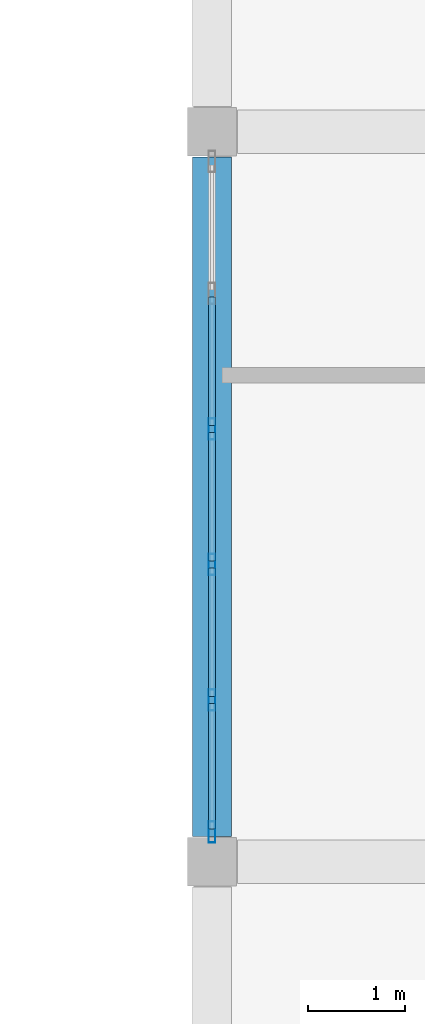
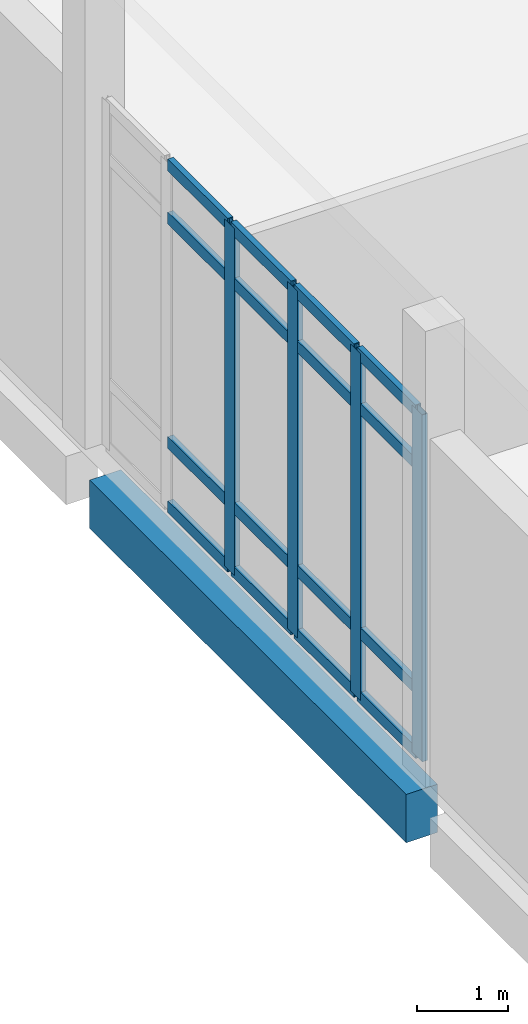
# One storey, part 59 of 173: 20 members, 1 beam, 1 element without a shape of its own.
"""IFC4 building model written with IfcOpenShell, lengths in metres."""

from ifc_helpers import new_model, si_unit, direction, frame, origin, origin_2d, place, context, subcontext, project, spatial, rectangle, hollow_rectangle, extrude, material, layer, layer_set, material_profile, profile_set, type_object, element, aggregate, save


model = new_model("IFC4")

# Units and contexts
model_context = context("Model", 3, precision=1e-05, world=origin(), true_north=direction((0.0, 1.0)))
body_context = subcontext(model_context, "Body", "Model", "MODEL_VIEW")
ifc_project = project(units=[si_unit("LENGTHUNIT", "METRE"), si_unit("AREAUNIT", "SQUARE_METRE"), si_unit("VOLUMEUNIT", "CUBIC_METRE"), si_unit("PLANEANGLEUNIT", "RADIAN"), si_unit("MASSUNIT", "GRAM", prefix="KILO")], contexts=[model_context])

# Site, building, storey
site_placement = place(None, origin())
site = spatial("IfcSite", under=ifc_project, at=site_placement, CompositionType="ELEMENT")
building_placement = place(site_placement, origin())
building = spatial("IfcBuilding", under=site, at=building_placement, Name="Mawjan Specialist Oncology Clinic", CompositionType="ELEMENT")
storey_placement = place(building_placement, origin())
storey = spatial("IfcBuildingStorey", under=building, at=storey_placement, Name="L00", CompositionType="ELEMENT", Elevation=0.0)

# Curtain wall, members
ifc_material_1 = material(Name="Unitised spectrally selective aluminium curtain wall", Category="aluminium")
ifc_layer = layer(ifc_material_1, 0.179931640625, Name="Unitised spectrally selective aluminium curtain wall", Category="aluminium")
ifc_layer_set = layer_set([ifc_layer], Name="Unitised spectrally selective aluminium curtain wall")
curtain_wall_type = type_object("IfcCurtainWallType", Name="CW-11", PredefinedType="NOTDEFINED", material=ifc_layer_set)
curtain_wall_placement = place(storey_placement, origin())
curtain_wall = element("IfcCurtainWall", 1, at=curtain_wall_placement, inside=storey, type_object=curtain_wall_type, Name="L00 Unitised Curtain Wall CW-L00-018", PredefinedType="NOTDEFINED")
ifc_material_2 = material(Name="Thermally broken aluminium 6063-T6", Category="aluminium")
ifc_material_profile_1 = material_profile(ifc_material_2, hollow_rectangle(XDim=0.070068359375, YDim=0.219970703125, WallThickness=0.00390625, at=origin_2d()), Name="ALU MULLION 220x70x4", Category="aluminium")
ifc_profile_set_1 = profile_set([ifc_material_profile_1], Name="Thermally broken aluminium 6063-T6")
member_type_1 = type_object("IfcMemberType", Name="CW-M220", PredefinedType="MULLION", material=ifc_profile_set_1)
member_1_placement = place(storey_placement, frame((30.0, 91.10498046875, 0.0), z_axis=(0.0, 0.0, 1.0), x_axis=(-1.0, 0.0, 0.0)))
member_1 = element("IfcMember", 2, at=member_1_placement, type_object=member_type_1, Name="CW-11 mullion 1", PredefinedType="MULLION", context=body_context, shape_type="SweptSolid", body=[
    extrude(hollow_rectangle(XDim=0.070068359375, YDim=0.219970703125, WallThickness=0.00390625, at=origin_2d()), origin(), (0.0, 0.0, 1.0), 4.669921875),
])
member_2_placement = place(storey_placement, frame((30.0, 92.4619140625, 0.0), z_axis=(0.0, 0.0, 1.0), x_axis=(-1.0, 0.0, 0.0)))
member_2 = element("IfcMember", 3, at=member_2_placement, type_object=member_type_1, Name="CW-11 mullion 2", PredefinedType="MULLION", context=body_context, shape_type="SweptSolid", body=[
    extrude(hollow_rectangle(XDim=0.070068359375, YDim=0.219970703125, WallThickness=0.00390625, at=origin_2d()), origin(), (0.0, 0.0, 1.0), 4.669921875),
])
member_3_placement = place(storey_placement, frame((30.0, 93.85400390625, 0.0), z_axis=(0.0, 0.0, 1.0), x_axis=(-1.0, 0.0, 0.0)))
member_3 = element("IfcMember", 4, at=member_3_placement, type_object=member_type_1, Name="CW-11 mullion 3", PredefinedType="MULLION", context=body_context, shape_type="SweptSolid", body=[
    extrude(hollow_rectangle(XDim=0.070068359375, YDim=0.219970703125, WallThickness=0.00390625, at=origin_2d()), origin(), (0.0, 0.0, 1.0), 4.669921875),
])
member_4_placement = place(storey_placement, frame((30.0, 95.24609375, 0.0), z_axis=(0.0, 0.0, 1.0), x_axis=(-1.0, 0.0, 0.0)))
member_4 = element("IfcMember", 5, at=member_4_placement, type_object=member_type_1, Name="CW-11 mullion 4", PredefinedType="MULLION", context=body_context, shape_type="SweptSolid", body=[
    extrude(hollow_rectangle(XDim=0.070068359375, YDim=0.219970703125, WallThickness=0.00390625, at=origin_2d()), origin(), (0.0, 0.0, 1.0), 4.669921875),
])
ifc_material_3 = material(Name="Thermally broken aluminium 6063-T6", Category="aluminium")
ifc_material_profile_2 = material_profile(ifc_material_3, hollow_rectangle(XDim=0.070068359375, YDim=0.159912109375, WallThickness=0.00390625, at=origin_2d()), Name="ALU TRANSOM 160x70x4", Category="aluminium")
ifc_profile_set_2 = profile_set([ifc_material_profile_2], Name="Thermally broken aluminium 6063-T6")
member_type_2 = type_object("IfcMemberType", Name="CW-T160", PredefinedType="USERDEFINED", material=ifc_profile_set_2)
member_5_placement = place(storey_placement, frame((30.0, 91.139892578125, 0.034912109375), z_axis=(0.0, 1.0, 0.0), x_axis=(-1.0, 0.0, 0.0)))
member_5 = element("IfcMember", 6, at=member_5_placement, type_object=member_type_2, Name="CW-11 transom 1.1", ObjectType="TRANSOM", PredefinedType="USERDEFINED", context=body_context, shape_type="SweptSolid", body=[
    extrude(hollow_rectangle(XDim=0.070068359375, YDim=0.159912109375, WallThickness=0.00390625, at=origin_2d()), origin(), (0.0, 0.0, 1.0), 1.287109375),
])
member_6_placement = place(storey_placement, frame((30.0, 91.139892578125, 0.89990234375), z_axis=(0.0, 1.0, 0.0), x_axis=(-1.0, 0.0, 0.0)))
member_6 = element("IfcMember", 7, at=member_6_placement, type_object=member_type_2, Name="CW-11 transom 1.2", ObjectType="TRANSOM", PredefinedType="USERDEFINED", context=body_context, shape_type="SweptSolid", body=[
    extrude(hollow_rectangle(XDim=0.070068359375, YDim=0.159912109375, WallThickness=0.00390625, at=origin_2d()), origin(), (0.0, 0.0, 1.0), 1.287109375),
])
member_7_placement = place(storey_placement, frame((30.0, 91.139892578125, 3.919921875), z_axis=(0.0, 1.0, 0.0), x_axis=(-1.0, 0.0, 0.0)))
member_7 = element("IfcMember", 8, at=member_7_placement, type_object=member_type_2, Name="CW-11 transom 1.3", ObjectType="TRANSOM", PredefinedType="USERDEFINED", context=body_context, shape_type="SweptSolid", body=[
    extrude(hollow_rectangle(XDim=0.070068359375, YDim=0.159912109375, WallThickness=0.00390625, at=origin_2d()), origin(), (0.0, 0.0, 1.0), 1.287109375),
])
member_8_placement = place(storey_placement, frame((30.0, 91.139892578125, 4.635009765625), z_axis=(0.0, 1.0, 0.0), x_axis=(-1.0, 0.0, 0.0)))
member_8 = element("IfcMember", 9, at=member_8_placement, type_object=member_type_2, Name="CW-11 transom 1.4", ObjectType="TRANSOM", PredefinedType="USERDEFINED", context=body_context, shape_type="SweptSolid", body=[
    extrude(hollow_rectangle(XDim=0.070068359375, YDim=0.159912109375, WallThickness=0.00390625, at=origin_2d()), origin(), (0.0, 0.0, 1.0), 1.287109375),
])
member_9_placement = place(storey_placement, frame((30.0, 92.4970703125, 0.034912109375), z_axis=(0.0, 1.0, 0.0), x_axis=(-1.0, 0.0, 0.0)))
member_9 = element("IfcMember", 10, at=member_9_placement, type_object=member_type_2, Name="CW-11 transom 2.1", ObjectType="TRANSOM", PredefinedType="USERDEFINED", context=body_context, shape_type="SweptSolid", body=[
    extrude(hollow_rectangle(XDim=0.070068359375, YDim=0.159912109375, WallThickness=0.00390625, at=origin_2d()), origin(), (0.0, 0.0, 1.0), 1.322021484375),
])
member_10_placement = place(storey_placement, frame((30.0, 92.4970703125, 0.89990234375), z_axis=(0.0, 1.0, 0.0), x_axis=(-1.0, 0.0, 0.0)))
member_10 = element("IfcMember", 11, at=member_10_placement, type_object=member_type_2, Name="CW-11 transom 2.2", ObjectType="TRANSOM", PredefinedType="USERDEFINED", context=body_context, shape_type="SweptSolid", body=[
    extrude(hollow_rectangle(XDim=0.070068359375, YDim=0.159912109375, WallThickness=0.00390625, at=origin_2d()), origin(), (0.0, 0.0, 1.0), 1.322021484375),
])
member_11_placement = place(storey_placement, frame((30.0, 92.4970703125, 3.919921875), z_axis=(0.0, 1.0, 0.0), x_axis=(-1.0, 0.0, 0.0)))
member_11 = element("IfcMember", 12, at=member_11_placement, type_object=member_type_2, Name="CW-11 transom 2.3", ObjectType="TRANSOM", PredefinedType="USERDEFINED", context=body_context, shape_type="SweptSolid", body=[
    extrude(hollow_rectangle(XDim=0.070068359375, YDim=0.159912109375, WallThickness=0.00390625, at=origin_2d()), origin(), (0.0, 0.0, 1.0), 1.322021484375),
])
member_12_placement = place(storey_placement, frame((30.0, 92.4970703125, 4.635009765625), z_axis=(0.0, 1.0, 0.0), x_axis=(-1.0, 0.0, 0.0)))
member_12 = element("IfcMember", 13, at=member_12_placement, type_object=member_type_2, Name="CW-11 transom 2.4", ObjectType="TRANSOM", PredefinedType="USERDEFINED", context=body_context, shape_type="SweptSolid", body=[
    extrude(hollow_rectangle(XDim=0.070068359375, YDim=0.159912109375, WallThickness=0.00390625, at=origin_2d()), origin(), (0.0, 0.0, 1.0), 1.322021484375),
])
member_13_placement = place(storey_placement, frame((30.0, 93.888916015625, 0.034912109375), z_axis=(0.0, 1.0, 0.0), x_axis=(-1.0, 0.0, 0.0)))
member_13 = element("IfcMember", 14, at=member_13_placement, type_object=member_type_2, Name="CW-11 transom 3.1", ObjectType="TRANSOM", PredefinedType="USERDEFINED", context=body_context, shape_type="SweptSolid", body=[
    extrude(hollow_rectangle(XDim=0.070068359375, YDim=0.159912109375, WallThickness=0.00390625, at=origin_2d()), origin(), (0.0, 0.0, 1.0), 1.322021484375),
])
member_14_placement = place(storey_placement, frame((30.0, 93.888916015625, 0.89990234375), z_axis=(0.0, 1.0, 0.0), x_axis=(-1.0, 0.0, 0.0)))
member_14 = element("IfcMember", 15, at=member_14_placement, type_object=member_type_2, Name="CW-11 transom 3.2", ObjectType="TRANSOM", PredefinedType="USERDEFINED", context=body_context, shape_type="SweptSolid", body=[
    extrude(hollow_rectangle(XDim=0.070068359375, YDim=0.159912109375, WallThickness=0.00390625, at=origin_2d()), origin(), (0.0, 0.0, 1.0), 1.322021484375),
])
member_15_placement = place(storey_placement, frame((30.0, 93.888916015625, 3.919921875), z_axis=(0.0, 1.0, 0.0), x_axis=(-1.0, 0.0, 0.0)))
member_15 = element("IfcMember", 16, at=member_15_placement, type_object=member_type_2, Name="CW-11 transom 3.3", ObjectType="TRANSOM", PredefinedType="USERDEFINED", context=body_context, shape_type="SweptSolid", body=[
    extrude(hollow_rectangle(XDim=0.070068359375, YDim=0.159912109375, WallThickness=0.00390625, at=origin_2d()), origin(), (0.0, 0.0, 1.0), 1.322021484375),
])
member_16_placement = place(storey_placement, frame((30.0, 93.888916015625, 4.635009765625), z_axis=(0.0, 1.0, 0.0), x_axis=(-1.0, 0.0, 0.0)))
member_16 = element("IfcMember", 17, at=member_16_placement, type_object=member_type_2, Name="CW-11 transom 3.4", ObjectType="TRANSOM", PredefinedType="USERDEFINED", context=body_context, shape_type="SweptSolid", body=[
    extrude(hollow_rectangle(XDim=0.070068359375, YDim=0.159912109375, WallThickness=0.00390625, at=origin_2d()), origin(), (0.0, 0.0, 1.0), 1.322021484375),
])
member_17_placement = place(storey_placement, frame((30.0, 95.281005859375, 0.034912109375), z_axis=(0.0, 1.0, 0.0), x_axis=(-1.0, 0.0, 0.0)))
member_17 = element("IfcMember", 18, at=member_17_placement, type_object=member_type_2, Name="CW-11 transom 4.1", ObjectType="TRANSOM", PredefinedType="USERDEFINED", context=body_context, shape_type="SweptSolid", body=[
    extrude(hollow_rectangle(XDim=0.070068359375, YDim=0.159912109375, WallThickness=0.00390625, at=origin_2d()), origin(), (0.0, 0.0, 1.0), 1.322021484375),
])
member_18_placement = place(storey_placement, frame((30.0, 95.281005859375, 0.89990234375), z_axis=(0.0, 1.0, 0.0), x_axis=(-1.0, 0.0, 0.0)))
member_18 = element("IfcMember", 19, at=member_18_placement, type_object=member_type_2, Name="CW-11 transom 4.2", ObjectType="TRANSOM", PredefinedType="USERDEFINED", context=body_context, shape_type="SweptSolid", body=[
    extrude(hollow_rectangle(XDim=0.070068359375, YDim=0.159912109375, WallThickness=0.00390625, at=origin_2d()), origin(), (0.0, 0.0, 1.0), 1.322021484375),
])
member_19_placement = place(storey_placement, frame((30.0, 95.281005859375, 3.919921875), z_axis=(0.0, 1.0, 0.0), x_axis=(-1.0, 0.0, 0.0)))
member_19 = element("IfcMember", 20, at=member_19_placement, type_object=member_type_2, Name="CW-11 transom 4.3", ObjectType="TRANSOM", PredefinedType="USERDEFINED", context=body_context, shape_type="SweptSolid", body=[
    extrude(hollow_rectangle(XDim=0.070068359375, YDim=0.159912109375, WallThickness=0.00390625, at=origin_2d()), origin(), (0.0, 0.0, 1.0), 1.322021484375),
])
member_20_placement = place(storey_placement, frame((30.0, 95.281005859375, 4.635009765625), z_axis=(0.0, 1.0, 0.0), x_axis=(-1.0, 0.0, 0.0)))
member_20 = element("IfcMember", 21, at=member_20_placement, type_object=member_type_2, Name="CW-11 transom 4.4", ObjectType="TRANSOM", PredefinedType="USERDEFINED", context=body_context, shape_type="SweptSolid", body=[
    extrude(hollow_rectangle(XDim=0.070068359375, YDim=0.159912109375, WallThickness=0.00390625, at=origin_2d()), origin(), (0.0, 0.0, 1.0), 1.322021484375),
])
aggregate(curtain_wall, [member_1, member_2, member_3, member_4, member_5, member_6, member_7, member_8, member_9, member_10, member_11, member_12, member_13, member_14, member_15, member_16, member_17, member_18, member_19, member_20])

# Beam
ifc_material_4 = material(Name="Concrete C45/55", Category="concrete")
ifc_material_profile_3 = material_profile(ifc_material_4, rectangle(XDim=0.39990234375, YDim=0.64990234375, at=origin_2d()), Name="RC BM 400x650", Category="concrete")
ifc_profile_set_3 = profile_set([ifc_material_profile_3], Name="Concrete C45/55")
beam_type = type_object("IfcBeamType", Name="SP-400x650", PredefinedType="SPANDREL", material=ifc_profile_set_3)
beam_placement = place(storey_placement, frame((30.0, 91.06005859375, -0.7451171875), z_axis=(0.0, 1.0, 0.0), x_axis=(-1.0, 0.0, 0.0)))
element("IfcBeam", 22, at=beam_placement, inside=storey, type_object=beam_type, Name="L00 Spandrel Beam BM-L00-0115", PredefinedType="SPANDREL", context=body_context, shape_type="SweptSolid", body=[
    extrude(rectangle(XDim=0.39990234375, YDim=0.64990234375, at=origin_2d()), origin(), (0.0, 0.0, 1.0), 6.97998046875),
])

save(model, "model.ifc")
